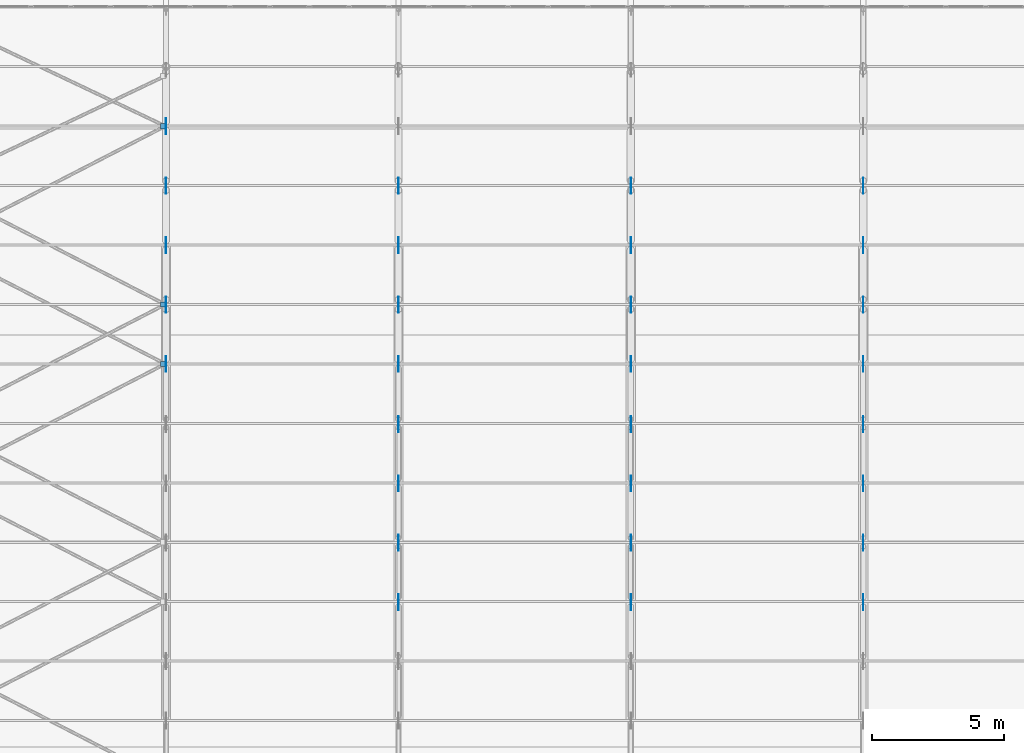
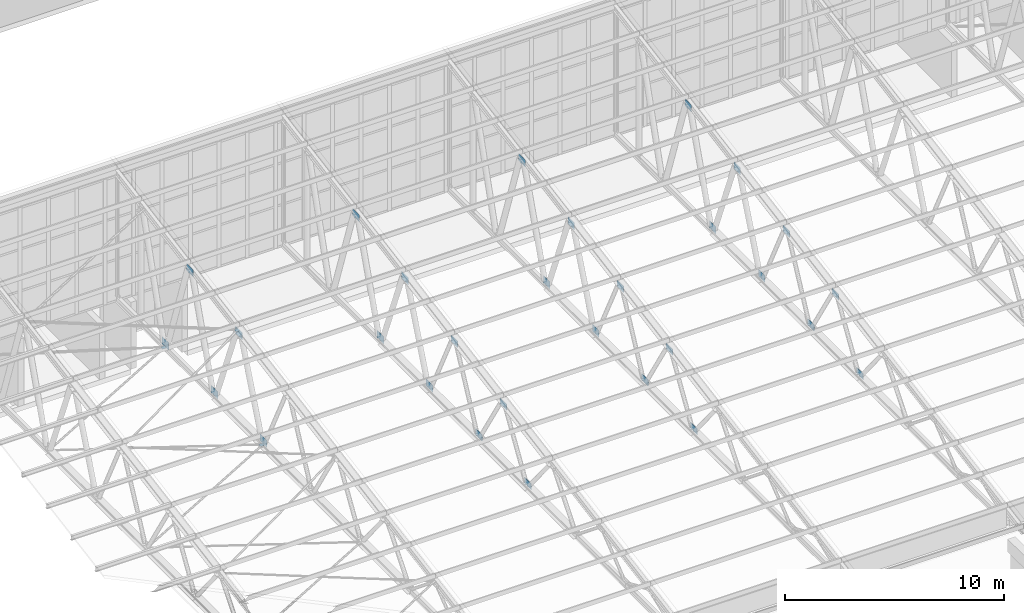
# One storey, part 151 of 185: 32 discrete accessories.
"""IFC4 building model written with IfcOpenShell, lengths in metres."""

import ifcopenshell
import ifcopenshell.guid

model = None  # the IFC model being written
_history = None  # IfcOwnerHistory: only IFC2X3 demands one
_inside = {}  # id of a spatial element -> (the spatial element, [elements in it])
_under = {}  # id of a project, library or spatial element -> (it, [spatial elements below it])
_declared = {}  # id of a project -> (the project, [libraries it declares])
_typed = {}  # id of a type object -> (the type object, [elements of that type])
_made_of = {}  # id of a material, layer set ... -> (it, [elements and type objects made of it])


def new_model(schema):
    """Start an empty IFC model of exactly this schema.

    Asked for "IFC4X3", IfcOpenShell would pick the latest addendum, in which some entities
    have other attributes; the version numbers below select the first issue.
    IFC2X3 requires an IfcOwnerHistory on every rooted entity: one is made here for all.
    """
    global model, _history
    if schema == "IFC4X3":
        model = ifcopenshell.file(schema_version=(4, 3, 0, 0))
    else:
        model = ifcopenshell.file(schema=schema)
    _inside.clear()
    _under.clear()
    _declared.clear()
    _typed.clear()
    _made_of.clear()
    _history = None
    if model.schema == "IFC2X3":
        org = make("IfcOrganization", Name="unknown")
        user = make(
            "IfcPersonAndOrganization",
            ThePerson=make("IfcPerson", FamilyName="unknown"),
            TheOrganization=org,
        )
        app = make(
            "IfcApplication",
            ApplicationDeveloper=org,
            Version="unknown",
            ApplicationFullName="unknown",
            ApplicationIdentifier="unknown",
        )
        _history = make(
            "IfcOwnerHistory",
            OwningUser=user,
            OwningApplication=app,
            ChangeAction="ADDED",
            CreationDate=0,
        )
    return model


def make(cls, **values):
    """One entity of the class cls with the attributes given. An attribute that is None is left unset."""
    return model.create_entity(
        cls, **{name: value for name, value in values.items() if value is not None}
    )


def rooted(cls, **values):
    """An entity with a GlobalId (a new one), such as an element, a storey or a relation."""
    return make(cls, GlobalId=ifcopenshell.guid.new(), OwnerHistory=_history, **values)


def si_unit(unit_type, name, prefix=None):
    """IfcSIUnit, for example si_unit("LENGTHUNIT", "METRE", prefix="MILLI")."""
    return make("IfcSIUnit", UnitType=unit_type, Prefix=prefix, Name=name)


def assignment(units):
    """IfcUnitAssignment: the units of a project."""
    return None if units is None else make("IfcUnitAssignment", Units=units)


def point(xyz):
    """IfcCartesianPoint."""
    return None if xyz is None else make("IfcCartesianPoint", Coordinates=xyz)


def direction(xyz):
    """IfcDirection."""
    return None if xyz is None else make("IfcDirection", DirectionRatios=xyz)


def frame(location, z_axis=None, x_axis=None):
    """IfcAxis2Placement3D, a coordinate frame: its origin and axes. An axis left out is left unset."""
    return make(
        "IfcAxis2Placement3D",
        Location=point(location),
        Axis=direction(z_axis),
        RefDirection=direction(x_axis),
    )


def frame_2d(location, x_axis=None):
    """IfcAxis2Placement2D, a coordinate frame in the plane: its origin and x axis."""
    return make(
        "IfcAxis2Placement2D", Location=point(location), RefDirection=direction(x_axis)
    )


def origin():
    """The frame at (0, 0, 0) with its axes left unset."""
    return frame((0.0, 0.0, 0.0))


def origin_2d():
    """The frame at (0, 0) in the plane with its x axis left unset."""
    return frame_2d((0.0, 0.0))


def place(relative_to, where):
    """IfcLocalPlacement: puts the frame where relative to a parent placement (None: the world)."""
    return make(
        "IfcLocalPlacement", PlacementRelTo=relative_to, RelativePlacement=where
    )


def context(
    kind, dimensions, precision=None, world=None, true_north=None, identifier=None
):
    """IfcGeometricRepresentationContext, for example the 3D "Model" context."""
    return make(
        "IfcGeometricRepresentationContext",
        ContextIdentifier=identifier,
        ContextType=kind,
        CoordinateSpaceDimension=dimensions,
        Precision=precision,
        WorldCoordinateSystem=world,
        TrueNorth=true_north,
    )


def subcontext(parent, identifier, kind, view, scale=None):
    """IfcGeometricRepresentationSubContext, for example "Body" below "Model"."""
    return make(
        "IfcGeometricRepresentationSubContext",
        ContextIdentifier=identifier,
        ContextType=kind,
        ParentContext=parent,
        TargetScale=scale,
        TargetView=view,
    )


def project(units=None, contexts=None):
    """IfcProject with its units and contexts."""
    return rooted(
        "IfcProject",
        Name="project",
        RepresentationContexts=contexts,
        UnitsInContext=assignment(units),
    )


def spatial(cls, under=None, at=None, **own):
    """A site, building, storey or space (cls), placed at a placement, below another one or the project."""
    s = rooted(cls, ObjectPlacement=at, **own)
    if under is not None:
        _under.setdefault(under.id(), (under, []))[1].append(s)
    return s


def profile(cls, at=None, kind="AREA", **sizes):
    """A parametric profile (cls). Its sizes go by their IFC names, for example OverallWidth=200.0."""
    return make(cls, ProfileType=kind, Position=at, **sizes)


def rectangle(**sizes):
    """IfcRectangleProfileDef."""
    return profile("IfcRectangleProfileDef", **sizes)


def extrude(swept, where, along, depth):
    """IfcExtrudedAreaSolid: the profile swept, set in the frame where, extruded along a direction by depth."""
    return make(
        "IfcExtrudedAreaSolid",
        SweptArea=swept,
        Position=where,
        ExtrudedDirection=direction(along),
        Depth=depth,
    )


def shape(context_of_items, identifier, shape_type, items):
    """IfcShapeRepresentation: the items that make up one representation, for example the "Body"."""
    return make(
        "IfcShapeRepresentation",
        ContextOfItems=context_of_items,
        RepresentationIdentifier=identifier,
        RepresentationType=shape_type,
        Items=items,
    )


def material(Name=None, Category=None):
    """IfcMaterial."""
    return make("IfcMaterial", Name=Name, Category=Category)


def layer(
    of_material, thickness, ventilated=None, Name=None, Category=None, Priority=None
):
    """IfcMaterialLayer: one layer of a wall or slab, of a material (None: an air gap)."""
    return make(
        "IfcMaterialLayer",
        Material=of_material,
        LayerThickness=thickness,
        IsVentilated=ventilated,
        Name=Name,
        Category=Category,
        Priority=Priority,
    )


def layer_set(layers, Name=None):
    """IfcMaterialLayerSet."""
    return make("IfcMaterialLayerSet", MaterialLayers=layers, LayerSetName=Name)


def made_of(thing, what):
    """Note that an element or type object is made of a material, layer set ...; save() writes the relation."""
    if what is not None:
        _made_of.setdefault(what.id(), (what, []))[1].append(thing)
    return thing


def type_object(cls, material=None, **own):
    """A type object (cls), such as IfcWallType, which elements share."""
    return made_of(rooted(cls, **own), material)


def element(
    cls,
    number,
    at=None,
    inside=None,
    cuts=None,
    type_object=None,
    material=None,
    context=None,
    identifier="Body",
    shape_type=None,
    held_by="IfcProductDefinitionShape",
    body=None,
    shapes=None,
    **own,
):
    """One element of the class cls, such as IfcWall. Its Tag is "e" and its number.

    at: its placement. inside: the storey or other place that contains it. cuts: it is an
    opening in that element (IfcRelVoidsElement). A single representation is given by context,
    identifier, shape_type and body (its items); several are given by shapes. held_by: the class
    of the entity that holds the representations. save() writes the other relations.
    """
    e = rooted(cls, Tag="e%d" % number, ObjectPlacement=at, **own)
    if body is not None:
        shapes = [shape(context, identifier, shape_type, body)]
    if shapes is not None:
        e.Representation = make(held_by, Representations=shapes)
    if inside is not None:
        _inside.setdefault(inside.id(), (inside, []))[1].append(e)
    if cuts is not None:
        rooted(
            "IfcRelVoidsElement", RelatingBuildingElement=cuts, RelatedOpeningElement=e
        )
    if type_object is not None:
        _typed.setdefault(type_object.id(), (type_object, []))[1].append(e)
    return made_of(e, material)


def aggregate(whole, parts):
    """IfcRelAggregates: a whole, such as a stair, and the parts it consists of."""
    return rooted("IfcRelAggregates", RelatingObject=whole, RelatedObjects=parts)


def save(model, path):
    """Write the relations noted so far, then the file.

    IfcRelAggregates (storeys below a building ...), IfcRelContainedInSpatialStructure (elements
    in a storey), IfcRelDefinesByType, IfcRelAssociatesMaterial and IfcRelDeclares: one each for
    every whole, place, type object, material and project.
    """
    for whole, parts in _under.values():
        aggregate(whole, parts)
    for where, things in _inside.values():
        rooted(
            "IfcRelContainedInSpatialStructure",
            RelatedElements=things,
            RelatingStructure=where,
        )
    for kind, things in _typed.values():
        rooted("IfcRelDefinesByType", RelatedObjects=things, RelatingType=kind)
    for what, things in _made_of.values():
        rooted("IfcRelAssociatesMaterial", RelatedObjects=things, RelatingMaterial=what)
    for by, libraries in _declared.values():
        rooted("IfcRelDeclares", RelatingContext=by, RelatedDefinitions=libraries)
    model.write(path)


model = new_model("IFC4")

# Units and contexts
model_context = context("Model", 3, precision=1e-05, world=origin(), true_north=direction((0.0, 1.0)))
body_context = subcontext(model_context, "Body", "Model", "MODEL_VIEW")
ifc_project = project(units=[si_unit("LENGTHUNIT", "METRE"), si_unit("AREAUNIT", "SQUARE_METRE"), si_unit("VOLUMEUNIT", "CUBIC_METRE"), si_unit("PLANEANGLEUNIT", "RADIAN"), si_unit("MASSUNIT", "GRAM", prefix="KILO")], contexts=[model_context])

# Site, building, storey
site_placement = place(None, origin())
site = spatial("IfcSite", under=ifc_project, at=site_placement, CompositionType="ELEMENT")
building_placement = place(site_placement, origin())
building = spatial("IfcBuilding", under=site, at=building_placement, Name="Opaline Strait Convention Centre", CompositionType="ELEMENT")
storey_placement = place(building_placement, frame((0.0, 0.0, 6.0)))
storey = spatial("IfcBuildingStorey", under=building, at=storey_placement, Name="L01", CompositionType="ELEMENT", Elevation=6.0)

# Discrete accessories
ifc_material = material(Name="Steel Q355B", Category="steel")
ifc_layer_1 = layer(ifc_material, 0.014892578125)
ifc_layer_set_1 = layer_set([ifc_layer_1], Name="Steel Q355B")
discrete_accessory_type_1 = type_object("IfcDiscreteAccessoryType", Name="Brace gusset plate 200 x 200 x 15", PredefinedType="USERDEFINED", material=ifc_layer_set_1)
for number, where, z_axis, x_axis, name in (
    (1, (297.46533203125, 49.4375, 4.49267578125), (0.0, 0.0, 1.0), (1.0, 0.0, 0.0), "BNP8 roof brace gusset plate end bay 1 bottom plane"),
    (2, (297.468017578125, 58.41259765625, 4.49267578125), (0.0, 0.0, 1.0), (1.0, 0.0, 0.0), "BNP8 roof brace gusset plate end bay 1 bottom plane"),
    (3, (297.46533203125, 51.68115234375, 9.54443359375), (0.0, 0.0, 1.0), (1.0, 0.0, 0.0), "BNP8 roof brace gusset plate end bay 1 top plane"),
):
    element("IfcDiscreteAccessory", number, at=place(storey_placement, frame(where, z_axis=z_axis, x_axis=x_axis)), inside=storey, type_object=discrete_accessory_type_1, Name=name, ObjectType="NODE HUB", PredefinedType="USERDEFINED", context=body_context, shape_type="SweptSolid", body=[
        extrude(rectangle(XDim=0.199951171875, YDim=0.199951171875, at=origin_2d()), origin(), (0.0, 0.0, 1.0), 0.014892578125),
    ])
ifc_layer_2 = layer(ifc_material, 0.014892578125)
ifc_layer_set_2 = layer_set([ifc_layer_2], Name="Steel Q355B")
discrete_accessory_type_2 = type_object("IfcDiscreteAccessoryType", Name="Truss node plate 600 x 350 x 15", PredefinedType="USERDEFINED", material=ifc_layer_set_2)
for number, where, z_axis, x_axis, name in (
    (4, (306.343017578125, 40.441650390625, 4.52001953125), (0.0, 0.0, 1.0), (1.0, 0.0, 0.0), "BNP2 truss node plate line 3 bottom node"),
    (5, (306.343017578125, 44.92236328125, 4.52001953125), (0.0, 0.0, 1.0), (1.0, 0.0, 0.0), "BNP2 truss node plate line 3 bottom node"),
    (6, (306.343017578125, 42.6845703125, 7.5927734375), (0.0, 0.0, 1.0), (1.0, 0.0, 0.0), "BNP2 truss node plate line 3 top node"),
    (7, (306.343017578125, 47.165771484375, 8.383056640625), (0.0, 0.0, 1.0), (1.0, 0.0, 0.0), "BNP2 truss node plate line 3 top node"),
    (8, (315.1142578125, 40.441650390625, 4.52001953125), (0.0, 0.0, 1.0), (1.0, 0.0, 0.0), "BNP2 truss node plate line 4 bottom node"),
    (9, (315.1142578125, 44.92236328125, 4.52001953125), (0.0, 0.0, 1.0), (1.0, 0.0, 0.0), "BNP2 truss node plate line 4 bottom node"),
    (10, (315.1142578125, 42.6845703125, 7.5927734375), (0.0, 0.0, 1.0), (1.0, 0.0, 0.0), "BNP2 truss node plate line 4 top node"),
    (11, (315.1142578125, 47.165771484375, 8.383056640625), (0.0, 0.0, 1.0), (1.0, 0.0, 0.0), "BNP2 truss node plate line 4 top node"),
    (12, (323.8857421875, 40.441650390625, 4.52001953125), (0.0, 0.0, 1.0), (1.0, 0.0, 0.0), "BNP2 truss node plate line 5 bottom node"),
    (13, (323.8857421875, 44.92236328125, 4.52001953125), (0.0, 0.0, 1.0), (1.0, 0.0, 0.0), "BNP2 truss node plate line 5 bottom node"),
    (14, (323.8857421875, 42.6845703125, 7.5927734375), (0.0, 0.0, 1.0), (1.0, 0.0, 0.0), "BNP2 truss node plate line 5 top node"),
    (15, (323.8857421875, 47.165771484375, 8.383056640625), (0.0, 0.0, 1.0), (1.0, 0.0, 0.0), "BNP2 truss node plate line 5 top node"),
):
    element("IfcDiscreteAccessory", number, at=place(storey_placement, frame(where, z_axis=z_axis, x_axis=x_axis)), inside=storey, type_object=discrete_accessory_type_2, Name=name, ObjectType="NODE HUB", PredefinedType="USERDEFINED", context=body_context, shape_type="SweptSolid", body=[
        extrude(rectangle(XDim=0.014892578125, YDim=0.60009765625, at=origin_2d()), origin(), (0.0, 0.0, 1.0), 0.35009765625),
    ])
ifc_layer_3 = layer(ifc_material, 0.014892578125)
ifc_layer_set_3 = layer_set([ifc_layer_3], Name="Steel Q355B")
discrete_accessory_type_3 = type_object("IfcDiscreteAccessoryType", Name="Truss node plate 600 x 400 x 15", PredefinedType="USERDEFINED", material=ifc_layer_set_3)
for number, where, z_axis, x_axis, name in (
    (16, (297.5712890625, 49.434814453125, 4.4951171875), (0.0, 0.0, 1.0), (1.0, 0.0, 0.0), "BNP3 truss node plate line 2 bottom node"),
    (17, (297.5712890625, 53.91943359375, 4.4951171875), (0.0, 0.0, 1.0), (1.0, 0.0, 0.0), "BNP3 truss node plate line 2 bottom node"),
    (18, (297.5712890625, 58.4052734375, 4.4951171875), (0.0, 0.0, 1.0), (1.0, 0.0, 0.0), "BNP3 truss node plate line 2 bottom node"),
    (19, (297.5712890625, 51.67822265625, 9.15380859375), (0.0, 0.0, 1.0), (1.0, 0.0, 0.0), "BNP3 truss node plate line 2 top node"),
    (20, (297.5712890625, 56.1630859375, 9.944580078125), (0.0, 0.0, 1.0), (1.0, 0.0, 0.0), "BNP3 truss node plate line 2 top node"),
    (21, (306.343017578125, 49.434814453125, 4.4951171875), (0.0, 0.0, 1.0), (1.0, 0.0, 0.0), "BNP3 truss node plate line 3 bottom node"),
    (22, (306.343017578125, 53.91943359375, 4.4951171875), (0.0, 0.0, 1.0), (1.0, 0.0, 0.0), "BNP3 truss node plate line 3 bottom node"),
    (23, (306.343017578125, 51.67822265625, 9.15380859375), (0.0, 0.0, 1.0), (1.0, 0.0, 0.0), "BNP3 truss node plate line 3 top node"),
    (24, (306.343017578125, 56.1630859375, 9.944580078125), (0.0, 0.0, 1.0), (1.0, 0.0, 0.0), "BNP3 truss node plate line 3 top node"),
    (25, (315.1142578125, 49.434814453125, 4.4951171875), (0.0, 0.0, 1.0), (1.0, 0.0, 0.0), "BNP3 truss node plate line 4 bottom node"),
    (26, (315.1142578125, 53.91943359375, 4.4951171875), (0.0, 0.0, 1.0), (1.0, 0.0, 0.0), "BNP3 truss node plate line 4 bottom node"),
    (27, (315.1142578125, 51.67822265625, 9.15380859375), (0.0, 0.0, 1.0), (1.0, 0.0, 0.0), "BNP3 truss node plate line 4 top node"),
    (28, (315.1142578125, 56.1630859375, 9.944580078125), (0.0, 0.0, 1.0), (1.0, 0.0, 0.0), "BNP3 truss node plate line 4 top node"),
    (29, (323.8857421875, 49.434814453125, 4.4951171875), (0.0, 0.0, 1.0), (1.0, 0.0, 0.0), "BNP3 truss node plate line 5 bottom node"),
    (30, (323.8857421875, 53.91943359375, 4.4951171875), (0.0, 0.0, 1.0), (1.0, 0.0, 0.0), "BNP3 truss node plate line 5 bottom node"),
    (31, (323.8857421875, 51.67822265625, 9.15380859375), (0.0, 0.0, 1.0), (1.0, 0.0, 0.0), "BNP3 truss node plate line 5 top node"),
    (32, (323.8857421875, 56.1630859375, 9.944580078125), (0.0, 0.0, 1.0), (1.0, 0.0, 0.0), "BNP3 truss node plate line 5 top node"),
):
    element("IfcDiscreteAccessory", number, at=place(storey_placement, frame(where, z_axis=z_axis, x_axis=x_axis)), inside=storey, type_object=discrete_accessory_type_3, Name=name, ObjectType="NODE HUB", PredefinedType="USERDEFINED", context=body_context, shape_type="SweptSolid", body=[
        extrude(rectangle(XDim=0.014892578125, YDim=0.60009765625, at=origin_2d()), origin(), (0.0, 0.0, 1.0), 0.39990234375),
    ])

save(model, "model.ifc")
